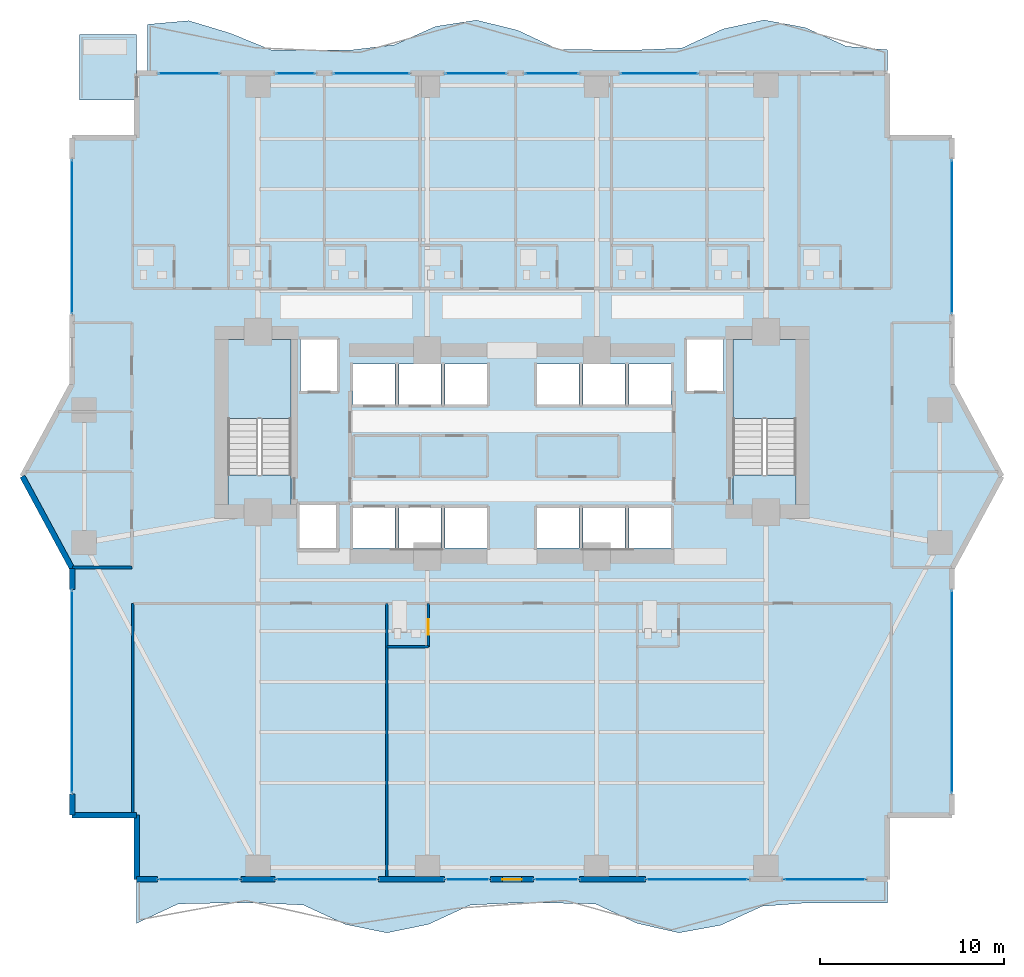
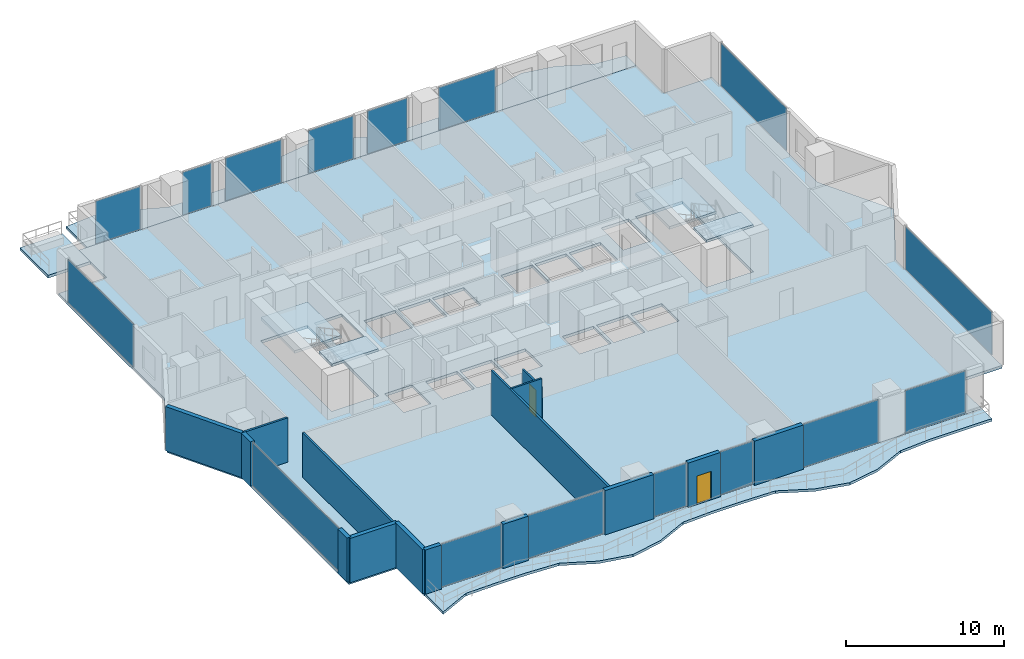
# One storey, part 20 of 28: 16 plates, 15 walls, 8 slabs, 2 doors, 2 openings, 18 elements without a shape of their own.
"""IFC4 building model written with IfcOpenShell, lengths in metres."""

from ifc_helpers import new_model, si_unit, direction, frame, frame_2d, origin, origin_2d, place, context, subcontext, project, spatial, polyline, rectangle, outline, extrude, material, layer, layer_set, type_object, element, fill, aggregate, save


model = new_model("IFC4")

# Units and contexts
model_context = context("Model", 3, precision=1e-05, world=origin(), true_north=direction((0.0, 1.0)))
body_context = subcontext(model_context, "Body", "Model", "MODEL_VIEW")
ifc_project = project(units=[si_unit("LENGTHUNIT", "METRE"), si_unit("AREAUNIT", "SQUARE_METRE"), si_unit("VOLUMEUNIT", "CUBIC_METRE"), si_unit("PLANEANGLEUNIT", "RADIAN"), si_unit("MASSUNIT", "GRAM", prefix="KILO")], contexts=[model_context])

# Site, building, storey
site_placement = place(None, origin())
site = spatial("IfcSite", under=ifc_project, at=site_placement, CompositionType="ELEMENT")
building_placement = place(site_placement, origin())
building = spatial("IfcBuilding", under=site, at=building_placement, Name="Zuhayl Quay Hotel", CompositionType="ELEMENT")
storey_placement = place(building_placement, frame((0.0, 0.0, 110.25)))
storey = spatial("IfcBuildingStorey", under=building, at=storey_placement, Name="L27", CompositionType="ELEMENT", Elevation=110.25)

# Curtain wall, plate
ifc_material_1 = material(Name="Anodised Aluminium 6063-T6", Category="aluminium")
ifc_layer_1 = layer(ifc_material_1, 0.179931640625, Name="Anodised Aluminium 6063-T6", Category="aluminium")
ifc_layer_set_1 = layer_set([ifc_layer_1], Name="Anodised Aluminium 6063-T6")
curtain_wall_type = type_object("IfcCurtainWallType", Name="CW_SYS_Z2", PredefinedType="USERDEFINED", material=ifc_layer_set_1)
curtain_wall_1_placement = place(storey_placement, origin())
curtain_wall_1 = element("IfcCurtainWall", 1, at=curtain_wall_1_placement, inside=storey, type_object=curtain_wall_type, Name="L27 Curtain Wall ENV_L27_E02_CW1", ObjectType="UNITISED CURTAIN WALL", PredefinedType="USERDEFINED")
ifc_material_2 = material(Name="Dark Ceramic-Fritted Solar Glass", Category="glass")
ifc_layer_2 = layer(ifc_material_2, 0.035888671875, Name="Dark Ceramic-Fritted Solar Glass", Category="glass")
ifc_layer_set_2 = layer_set([ifc_layer_2], Name="Dark Ceramic-Fritted Solar Glass")
plate_type = type_object("IfcPlateType", Name="PN_DARK_FRIT_Z1", PredefinedType="CURTAIN_PANEL", material=ifc_layer_set_2)
plate_1_placement = place(storey_placement, frame((-23.89990234375, -5.199951171875, 0.06005859375), z_axis=(0.0, 0.0, 1.0), x_axis=(0.0, 1.0, 0.0)))
plate_1 = element("IfcPlate", 2, at=plate_1_placement, type_object=plate_type, Name="CW-Z2 panel 1.1", PredefinedType="CURTAIN_PANEL", context=body_context, shape_type="SweptSolid", body=[
    extrude(rectangle(XDim=10.969970703125, YDim=0.035888671875, at=origin_2d()), origin(), (0.0, 0.0, 1.0), 3.31005859375),
])
aggregate(curtain_wall_1, [plate_1])

curtain_wall_2_placement = place(storey_placement, origin())
curtain_wall_2 = element("IfcCurtainWall", 3, at=curtain_wall_2_placement, inside=storey, type_object=curtain_wall_type, Name="L27 Curtain Wall ENV_L27_E05_CW1", ObjectType="UNITISED CURTAIN WALL", PredefinedType="USERDEFINED")
plate_2_placement = place(storey_placement, frame((-23.89990234375, 19.52490234375, 0.06005859375), z_axis=(0.0, 0.0, 1.0), x_axis=(0.0, 1.0, 0.0)))
plate_2 = element("IfcPlate", 4, at=plate_2_placement, type_object=plate_type, Name="CW-Z2 panel 1.1", PredefinedType="CURTAIN_PANEL", context=body_context, shape_type="SweptSolid", body=[
    extrude(rectangle(XDim=8.320068359375, YDim=0.035888671875, at=origin_2d()), origin(), (0.0, 0.0, 1.0), 3.31005859375),
])
aggregate(curtain_wall_2, [plate_2])

curtain_wall_3_placement = place(storey_placement, origin())
curtain_wall_3 = element("IfcCurtainWall", 5, at=curtain_wall_3_placement, inside=storey, type_object=curtain_wall_type, Name="L27 Curtain Wall ENV_L27_N_CW1", ObjectType="UNITISED CURTAIN WALL", PredefinedType="USERDEFINED")
plate_3_placement = place(storey_placement, frame((-17.550048828125, 28.39990234375, 0.06005859375), z_axis=(0.0, 0.0, 1.0), x_axis=(1.0, 0.0, 0.0)))
plate_3 = element("IfcPlate", 6, at=plate_3_placement, type_object=plate_type, Name="CW-Z2 panel 1.1", PredefinedType="CURTAIN_PANEL", context=body_context, shape_type="SweptSolid", body=[
    extrude(rectangle(XDim=3.27001953125, YDim=0.035888671875, at=origin_2d()), origin(), (0.0, 0.0, 1.0), 3.31005859375),
])
aggregate(curtain_wall_3, [plate_3])

curtain_wall_4_placement = place(storey_placement, origin())
curtain_wall_4 = element("IfcCurtainWall", 7, at=curtain_wall_4_placement, inside=storey, type_object=curtain_wall_type, Name="L27 Curtain Wall ENV_L27_N_CW2", ObjectType="UNITISED CURTAIN WALL", PredefinedType="USERDEFINED")
plate_4_placement = place(storey_placement, frame((-11.764892578125, 28.39990234375, 0.06005859375), z_axis=(0.0, 0.0, 1.0), x_axis=(1.0, 0.0, 0.0)))
plate_4 = element("IfcPlate", 8, at=plate_4_placement, type_object=plate_type, Name="CW-Z2 panel 1.1", PredefinedType="CURTAIN_PANEL", context=body_context, shape_type="SweptSolid", body=[
    extrude(rectangle(XDim=2.10009765625, YDim=0.035888671875, at=origin_2d()), origin(), (0.0, 0.0, 1.0), 3.31005859375),
])
aggregate(curtain_wall_4, [plate_4])

curtain_wall_5_placement = place(storey_placement, origin())
curtain_wall_5 = element("IfcCurtainWall", 9, at=curtain_wall_5_placement, inside=storey, type_object=curtain_wall_type, Name="L27 Curtain Wall ENV_L27_N_CW3", ObjectType="UNITISED CURTAIN WALL", PredefinedType="USERDEFINED")
plate_5_placement = place(storey_placement, frame((-7.635009765625, 28.39990234375, 0.06005859375), z_axis=(0.0, 0.0, 1.0), x_axis=(1.0, 0.0, 0.0)))
plate_5 = element("IfcPlate", 10, at=plate_5_placement, type_object=plate_type, Name="CW-Z2 panel 1.1", PredefinedType="CURTAIN_PANEL", context=body_context, shape_type="SweptSolid", body=[
    extrude(rectangle(XDim=4.10009765625, YDim=0.035888671875, at=origin_2d()), origin(), (0.0, 0.0, 1.0), 3.31005859375),
])
aggregate(curtain_wall_5, [plate_5])

curtain_wall_6_placement = place(storey_placement, origin())
curtain_wall_6 = element("IfcCurtainWall", 11, at=curtain_wall_6_placement, inside=storey, type_object=curtain_wall_type, Name="L27 Curtain Wall ENV_L27_N_CW4", ObjectType="UNITISED CURTAIN WALL", PredefinedType="USERDEFINED")
plate_6_placement = place(storey_placement, frame((-1.965087890625, 28.39990234375, 0.06005859375), z_axis=(0.0, 0.0, 1.0), x_axis=(1.0, 0.0, 0.0)))
plate_6 = element("IfcPlate", 12, at=plate_6_placement, type_object=plate_type, Name="CW-Z2 panel 1.1", PredefinedType="CURTAIN_PANEL", context=body_context, shape_type="SweptSolid", body=[
    extrude(rectangle(XDim=3.300048828125, YDim=0.035888671875, at=origin_2d()), origin(), (0.0, 0.0, 1.0), 3.31005859375),
])
aggregate(curtain_wall_6, [plate_6])

curtain_wall_7_placement = place(storey_placement, origin())
curtain_wall_7 = element("IfcCurtainWall", 13, at=curtain_wall_7_placement, inside=storey, type_object=curtain_wall_type, Name="L27 Curtain Wall ENV_L27_N_CW5", ObjectType="UNITISED CURTAIN WALL", PredefinedType="USERDEFINED")
plate_7_placement = place(storey_placement, frame((2.1650390625, 28.39990234375, 0.06005859375), z_axis=(0.0, 0.0, 1.0), x_axis=(1.0, 0.0, 0.0)))
plate_7 = element("IfcPlate", 14, at=plate_7_placement, type_object=plate_type, Name="CW-Z2 panel 1.1", PredefinedType="CURTAIN_PANEL", context=body_context, shape_type="SweptSolid", body=[
    extrude(rectangle(XDim=2.89990234375, YDim=0.035888671875, at=origin_2d()), origin(), (0.0, 0.0, 1.0), 3.31005859375),
])
aggregate(curtain_wall_7, [plate_7])

curtain_wall_8_placement = place(storey_placement, origin())
curtain_wall_8 = element("IfcCurtainWall", 15, at=curtain_wall_8_placement, inside=storey, type_object=curtain_wall_type, Name="L27 Curtain Wall ENV_L27_N_CW6", ObjectType="UNITISED CURTAIN WALL", PredefinedType="USERDEFINED")
plate_8_placement = place(storey_placement, frame((8.0, 28.39990234375, 0.06005859375), z_axis=(0.0, 0.0, 1.0), x_axis=(1.0, 0.0, 0.0)))
plate_8 = element("IfcPlate", 16, at=plate_8_placement, type_object=plate_type, Name="CW-Z2 panel 1.1", PredefinedType="CURTAIN_PANEL", context=body_context, shape_type="SweptSolid", body=[
    extrude(rectangle(XDim=4.169921875, YDim=0.035888671875, at=origin_2d()), origin(), (0.0, 0.0, 1.0), 3.31005859375),
])
aggregate(curtain_wall_8, [plate_8])

curtain_wall_9_placement = place(storey_placement, origin())
curtain_wall_9 = element("IfcCurtainWall", 17, at=curtain_wall_9_placement, inside=storey, type_object=curtain_wall_type, Name="L27 Curtain Wall ENV_L27_E11_CW1", ObjectType="UNITISED CURTAIN WALL", PredefinedType="USERDEFINED")
plate_9_placement = place(storey_placement, frame((23.89990234375, 19.52490234375, 0.06005859375), z_axis=(0.0, 0.0, 1.0), x_axis=(0.0, -1.0, 0.0)))
plate_9 = element("IfcPlate", 18, at=plate_9_placement, type_object=plate_type, Name="CW-Z2 panel 1.1", PredefinedType="CURTAIN_PANEL", context=body_context, shape_type="SweptSolid", body=[
    extrude(rectangle(XDim=8.320068359375, YDim=0.035888671875, at=origin_2d()), origin(), (0.0, 0.0, 1.0), 3.31005859375),
])
aggregate(curtain_wall_9, [plate_9])

curtain_wall_10_placement = place(storey_placement, origin())
curtain_wall_10 = element("IfcCurtainWall", 19, at=curtain_wall_10_placement, inside=storey, type_object=curtain_wall_type, Name="L27 Curtain Wall ENV_L27_E14_CW1", ObjectType="UNITISED CURTAIN WALL", PredefinedType="USERDEFINED")
plate_10_placement = place(storey_placement, frame((23.89990234375, -5.199951171875, 0.06005859375), z_axis=(0.0, 0.0, 1.0), x_axis=(0.0, -1.0, 0.0)))
plate_10 = element("IfcPlate", 20, at=plate_10_placement, type_object=plate_type, Name="CW-Z2 panel 1.1", PredefinedType="CURTAIN_PANEL", context=body_context, shape_type="SweptSolid", body=[
    extrude(rectangle(XDim=10.969970703125, YDim=0.035888671875, at=origin_2d()), origin(), (0.0, 0.0, 1.0), 3.31005859375),
])
aggregate(curtain_wall_10, [plate_10])

curtain_wall_11_placement = place(storey_placement, origin())
curtain_wall_11 = element("IfcCurtainWall", 21, at=curtain_wall_11_placement, inside=storey, type_object=curtain_wall_type, Name="L27 Curtain Wall ENV_L27_S_CW1", ObjectType="UNITISED CURTAIN WALL", PredefinedType="USERDEFINED")
plate_11_placement = place(storey_placement, frame((16.985107421875, -15.39990234375, 0.06005859375), z_axis=(0.0, 0.0, 1.0), x_axis=(-1.0, 0.0, 0.0)))
plate_11 = element("IfcPlate", 22, at=plate_11_placement, type_object=plate_type, Name="CW-Z2 panel 1.1", PredefinedType="CURTAIN_PANEL", context=body_context, shape_type="SweptSolid", body=[
    extrude(rectangle(XDim=4.39990234375, YDim=0.035888671875, at=origin_2d()), origin(), (0.0, 0.0, 1.0), 3.31005859375),
])
aggregate(curtain_wall_11, [plate_11])

curtain_wall_12_placement = place(storey_placement, origin())
curtain_wall_12 = element("IfcCurtainWall", 23, at=curtain_wall_12_placement, inside=storey, type_object=curtain_wall_type, Name="L27 Curtain Wall ENV_L27_S_CW2", ObjectType="UNITISED CURTAIN WALL", PredefinedType="USERDEFINED")
plate_12_placement = place(storey_placement, frame((10.06494140625, -15.39990234375, 0.06005859375), z_axis=(0.0, 0.0, 1.0), x_axis=(-1.0, 0.0, 0.0)))
plate_12 = element("IfcPlate", 24, at=plate_12_placement, type_object=plate_type, Name="CW-Z2 panel 1.1", PredefinedType="CURTAIN_PANEL", context=body_context, shape_type="SweptSolid", body=[
    extrude(rectangle(XDim=5.5, YDim=0.035888671875, at=origin_2d()), origin(), (0.0, 0.0, 1.0), 3.31005859375),
])
aggregate(curtain_wall_12, [plate_12])

curtain_wall_13_placement = place(storey_placement, origin())
curtain_wall_13 = element("IfcCurtainWall", 25, at=curtain_wall_13_placement, inside=storey, type_object=curtain_wall_type, Name="L27 Curtain Wall ENV_L27_S_CW3", ObjectType="UNITISED CURTAIN WALL", PredefinedType="USERDEFINED")
plate_13_placement = place(storey_placement, frame((2.427490234375, -15.39990234375, 0.06005859375), z_axis=(0.0, 0.0, 1.0), x_axis=(-1.0, 0.0, 0.0)))
plate_13 = element("IfcPlate", 26, at=plate_13_placement, type_object=plate_type, Name="CW-Z2 panel 1.1", PredefinedType="CURTAIN_PANEL", context=body_context, shape_type="SweptSolid", body=[
    extrude(rectangle(XDim=2.375, YDim=0.035888671875, at=origin_2d()), origin(), (0.0, 0.0, 1.0), 3.31005859375),
])
aggregate(curtain_wall_13, [plate_13])

curtain_wall_14_placement = place(storey_placement, origin())
curtain_wall_14 = element("IfcCurtainWall", 27, at=curtain_wall_14_placement, inside=storey, type_object=curtain_wall_type, Name="L27 Curtain Wall ENV_L27_S_CW4", ObjectType="UNITISED CURTAIN WALL", PredefinedType="USERDEFINED")
plate_14_placement = place(storey_placement, frame((-2.427490234375, -15.39990234375, 0.06005859375), z_axis=(0.0, 0.0, 1.0), x_axis=(-1.0, 0.0, 0.0)))
plate_14 = element("IfcPlate", 28, at=plate_14_placement, type_object=plate_type, Name="CW-Z2 panel 1.1", PredefinedType="CURTAIN_PANEL", context=body_context, shape_type="SweptSolid", body=[
    extrude(rectangle(XDim=2.375, YDim=0.035888671875, at=origin_2d()), origin(), (0.0, 0.0, 1.0), 3.31005859375),
])
aggregate(curtain_wall_14, [plate_14])

curtain_wall_15_placement = place(storey_placement, origin())
curtain_wall_15 = element("IfcCurtainWall", 29, at=curtain_wall_15_placement, inside=storey, type_object=curtain_wall_type, Name="L27 Curtain Wall ENV_L27_S_CW5", ObjectType="UNITISED CURTAIN WALL", PredefinedType="USERDEFINED")
plate_15_placement = place(storey_placement, frame((-10.06494140625, -15.39990234375, 0.06005859375), z_axis=(0.0, 0.0, 1.0), x_axis=(-1.0, 0.0, 0.0)))
plate_15 = element("IfcPlate", 30, at=plate_15_placement, type_object=plate_type, Name="CW-Z2 panel 1.1", PredefinedType="CURTAIN_PANEL", context=body_context, shape_type="SweptSolid", body=[
    extrude(rectangle(XDim=5.5, YDim=0.035888671875, at=origin_2d()), origin(), (0.0, 0.0, 1.0), 3.31005859375),
])
aggregate(curtain_wall_15, [plate_15])

curtain_wall_16_placement = place(storey_placement, origin())
curtain_wall_16 = element("IfcCurtainWall", 31, at=curtain_wall_16_placement, inside=storey, type_object=curtain_wall_type, Name="L27 Curtain Wall ENV_L27_S_CW6", ObjectType="UNITISED CURTAIN WALL", PredefinedType="USERDEFINED")
plate_16_placement = place(storey_placement, frame((-16.985107421875, -15.39990234375, 0.06005859375), z_axis=(0.0, 0.0, 1.0), x_axis=(-1.0, 0.0, 0.0)))
plate_16 = element("IfcPlate", 32, at=plate_16_placement, type_object=plate_type, Name="CW-Z2 panel 1.1", PredefinedType="CURTAIN_PANEL", context=body_context, shape_type="SweptSolid", body=[
    extrude(rectangle(XDim=4.39990234375, YDim=0.035888671875, at=origin_2d()), origin(), (0.0, 0.0, 1.0), 3.31005859375),
])
aggregate(curtain_wall_16, [plate_16])

# Slabs
ifc_material_3 = material(Name="Concrete C45/55", Category="concrete")
ifc_layer_3 = layer(ifc_material_3, 0.195068359375, Name="Concrete C45/55", Category="concrete")
ifc_layer_set_3 = layer_set([ifc_layer_3], Name="Concrete C45/55")
slab_type_1 = type_object("IfcSlabType", Name="SL_BALCONY_195", PredefinedType="FLOOR", material=ifc_layer_set_3)
slab_1_placement = place(storey_placement, frame((0.0, 0.0, -0.195068359375)))
element("IfcSlab", 33, at=slab_1_placement, inside=storey, type_object=slab_type_1, Name="L27 Exterior Rippling Balcony Slab North", PredefinedType="FLOOR", context=body_context, shape_type="SweptSolid", body=[
    extrude(outline(polyline([(-19.800048828125, 28.39990234375), (20.39990234375, 28.39990234375), (20.39990234375, 29.679931640625), (18.166748046875, 29.87060546875), (15.933349609375, 30.886474609375), (13.699951171875, 31.299072265625), (11.466796875, 30.81103515625), (9.2333984375, 29.774169921875), (7.0, 29.679931640625), (4.7666015625, 29.679931640625), (2.533203125, 29.695068359375), (0.300048828125, 30.744384765625), (-1.933349609375, 31.293212890625), (-4.166748046875, 30.9453125), (-6.39990234375, 29.951904296875), (-8.63330078125, 29.679931640625), (-10.86669921875, 29.679931640625), (-13.10009765625, 29.679931640625), (-15.333251953125, 30.588134765625), (-17.566650390625, 31.261474609375), (-19.800048828125, 31.061279296875), (-19.800048828125, 28.39990234375)])), origin(), (0.0, 0.0, 1.0), 0.195068359375),
])
slab_2_placement = place(storey_placement, frame((0.0, 0.0, -0.195068359375)))
element("IfcSlab", 34, at=slab_2_placement, inside=storey, type_object=slab_type_1, Name="L27 Exterior Rippling Balcony Slab South", PredefinedType="FLOOR", context=body_context, shape_type="SweptSolid", body=[
    extrude(outline(polyline([(-20.39990234375, -17.78466796875), (-18.13330078125, -16.7265625), (-15.86669921875, -16.679931640625), (-13.60009765625, -16.679931640625), (-11.333251953125, -16.7900390625), (-9.066650390625, -17.836669921875), (-6.800048828125, -18.300048828125), (-4.533203125, -17.836669921875), (-2.2666015625, -16.7900390625), (0.0, -16.679931640625), (2.2666015625, -16.679931640625), (4.533203125, -16.7265625), (6.800048828125, -17.78466796875), (9.066650390625, -18.29833984375), (11.333251953125, -17.886474609375), (13.60009765625, -16.8544921875), (15.86669921875, -16.679931640625), (18.13330078125, -16.679931640625), (20.39990234375, -16.679931640625), (20.39990234375, -15.39990234375), (-20.39990234375, -15.39990234375), (-20.39990234375, -17.78466796875)])), origin(), (0.0, 0.0, 1.0), 0.195068359375),
])
ifc_layer_4 = layer(ifc_material_3, 0.219970703125, Name="Concrete C45/55", Category="concrete")
ifc_layer_set_4 = layer_set([ifc_layer_4], Name="Concrete C45/55")
slab_type_2 = type_object("IfcSlabType", Name="SL_FLOOR_220", PredefinedType="FLOOR", material=ifc_layer_set_4)
slab_3_placement = place(storey_placement, frame((0.0, 0.0, -0.219970703125)))
element("IfcSlab", 35, at=slab_3_placement, inside=storey, type_object=slab_type_2, Name="L27 Structural Floor Slab", PredefinedType="FLOOR", context=body_context, shape_type="SweptSolid", body=[
    extrude(outline(polyline([(-20.39990234375, -15.39990234375), (20.39990234375, -15.39990234375), (20.39990234375, -11.89990234375), (23.89990234375, -11.89990234375), (23.89990234375, 1.5), (26.60009765625, 6.5), (23.89990234375, 11.5), (23.89990234375, 24.89990234375), (20.39990234375, 24.89990234375), (20.39990234375, 28.39990234375), (-20.39990234375, 28.39990234375), (-20.39990234375, 24.89990234375), (-23.89990234375, 24.89990234375), (-23.89990234375, 11.5), (-26.60009765625, 6.5), (-23.89990234375, 1.5), (-23.89990234375, -11.89990234375), (-20.39990234375, -11.89990234375), (-20.39990234375, -15.39990234375)]), holes=[polyline([(-12.0, 4.949951171875), (-12.0, 13.949951171875), (-15.429931640625, 13.949951171875), (-15.429931640625, 4.949951171875), (-12.0, 4.949951171875)]), polyline([(15.429931640625, 4.949951171875), (15.429931640625, 13.949951171875), (12.0, 13.949951171875), (12.0, 4.949951171875), (15.429931640625, 4.949951171875)]), polyline([(-11.5, 11.14990234375), (-9.5, 11.14990234375), (-9.5, 13.949951171875), (-11.5, 13.949951171875), (-11.5, 11.14990234375)]), polyline([(9.5, 11.14990234375), (11.5, 11.14990234375), (11.5, 13.949951171875), (9.5, 13.949951171875), (9.5, 11.14990234375)]), polyline([(-8.64990234375, 2.60009765625), (-6.35009765625, 2.60009765625), (-6.35009765625, 4.800048828125), (-8.64990234375, 4.800048828125), (-8.64990234375, 2.60009765625)]), polyline([(-6.14990234375, 2.60009765625), (-3.85009765625, 2.60009765625), (-3.85009765625, 4.800048828125), (-6.14990234375, 4.800048828125), (-6.14990234375, 2.60009765625)]), polyline([(-8.64990234375, 10.39990234375), (-6.35009765625, 10.39990234375), (-6.35009765625, 12.60009765625), (-8.64990234375, 12.60009765625), (-8.64990234375, 10.39990234375)]), polyline([(-6.14990234375, 10.39990234375), (-3.85009765625, 10.39990234375), (-3.85009765625, 12.60009765625), (-6.14990234375, 12.60009765625), (-6.14990234375, 10.39990234375)]), polyline([(-3.64990234375, 2.60009765625), (-1.35009765625, 2.60009765625), (-1.35009765625, 4.800048828125), (-3.64990234375, 4.800048828125), (-3.64990234375, 2.60009765625)]), polyline([(1.35009765625, 2.60009765625), (3.64990234375, 2.60009765625), (3.64990234375, 4.800048828125), (1.35009765625, 4.800048828125), (1.35009765625, 2.60009765625)]), polyline([(-3.64990234375, 10.39990234375), (-1.35009765625, 10.39990234375), (-1.35009765625, 12.60009765625), (-3.64990234375, 12.60009765625), (-3.64990234375, 10.39990234375)]), polyline([(1.35009765625, 10.39990234375), (3.64990234375, 10.39990234375), (3.64990234375, 12.60009765625), (1.35009765625, 12.60009765625), (1.35009765625, 10.39990234375)]), polyline([(3.85009765625, 2.60009765625), (6.14990234375, 2.60009765625), (6.14990234375, 4.800048828125), (3.85009765625, 4.800048828125), (3.85009765625, 2.60009765625)]), polyline([(6.35009765625, 2.60009765625), (8.64990234375, 2.60009765625), (8.64990234375, 4.800048828125), (6.35009765625, 4.800048828125), (6.35009765625, 2.60009765625)]), polyline([(3.85009765625, 10.39990234375), (6.14990234375, 10.39990234375), (6.14990234375, 12.60009765625), (3.85009765625, 12.60009765625), (3.85009765625, 10.39990234375)]), polyline([(6.35009765625, 10.39990234375), (8.64990234375, 10.39990234375), (8.64990234375, 12.60009765625), (6.35009765625, 12.60009765625), (6.35009765625, 10.39990234375)]), polyline([(-11.550048828125, 2.550048828125), (-9.550048828125, 2.550048828125), (-9.550048828125, 4.949951171875), (-11.550048828125, 4.949951171875), (-11.550048828125, 2.550048828125)])]), origin(), (0.0, 0.0, 1.0), 0.219970703125),
])

# Stair, slabs
stair_type = type_object("IfcStairType", Name="ST_DOGLEG_TOWER", PredefinedType="HALF_TURN_STAIR", material=ifc_material_3)
stair_1_placement = place(storey_placement, origin())
stair_1 = element("IfcStair", 36, at=stair_1_placement, inside=storey, type_object=stair_type, Name="L27 Smokeproof Exit Stair ST1", PredefinedType="HALF_TURN_STAIR")
ifc_layer_5 = layer(ifc_material_3, 0.199951171875, Name="Concrete C45/55", Category="concrete")
ifc_layer_set_5 = layer_set([ifc_layer_5], Name="Concrete C45/55")
slab_type_3 = type_object("IfcSlabType", Name="SL_STAIR_LANDING_200", PredefinedType="LANDING", material=ifc_layer_set_5)
slab_4_placement = place(storey_placement, frame((0.0, 0.0, 1.625)))
slab_4 = element("IfcSlab", 37, at=slab_4_placement, type_object=slab_type_3, Name="ST1 landing 1", PredefinedType="LANDING", context=body_context, shape_type="SweptSolid", body=[
    extrude(outline(polyline([(-12.0, 9.64990234375), (-12.0, 13.949951171875), (-15.429931640625, 13.949951171875), (-15.429931640625, 9.64990234375), (-12.0, 9.64990234375)])), origin(), (0.0, 0.0, 1.0), 0.199951171875),
])
slab_5_placement = place(storey_placement, frame((0.0, 0.0, 3.449951171875)))
slab_5 = element("IfcSlab", 38, at=slab_5_placement, type_object=slab_type_3, Name="ST1 landing 2", PredefinedType="LANDING", context=body_context, shape_type="SweptSolid", body=[
    extrude(outline(polyline([(-12.0, 4.949951171875), (-12.0, 6.590087890625), (-15.429931640625, 6.590087890625), (-15.429931640625, 4.949951171875), (-12.0, 4.949951171875)])), origin(), (0.0, 0.0, 1.0), 0.199951171875),
])
aggregate(stair_1, [slab_4, slab_5])

stair_2_placement = place(storey_placement, origin())
stair_2 = element("IfcStair", 39, at=stair_2_placement, inside=storey, type_object=stair_type, Name="L27 Smokeproof Exit Stair ST2", PredefinedType="HALF_TURN_STAIR")
slab_6_placement = place(storey_placement, frame((0.0, 0.0, 1.625)))
slab_6 = element("IfcSlab", 40, at=slab_6_placement, type_object=slab_type_3, Name="ST2 landing 1", PredefinedType="LANDING", context=body_context, shape_type="SweptSolid", body=[
    extrude(outline(polyline([(15.429931640625, 9.64990234375), (15.429931640625, 13.949951171875), (12.0, 13.949951171875), (12.0, 9.64990234375), (15.429931640625, 9.64990234375)])), origin(), (0.0, 0.0, 1.0), 0.199951171875),
])
slab_7_placement = place(storey_placement, frame((0.0, 0.0, 3.449951171875)))
slab_7 = element("IfcSlab", 41, at=slab_7_placement, type_object=slab_type_3, Name="ST2 landing 2", PredefinedType="LANDING", context=body_context, shape_type="SweptSolid", body=[
    extrude(outline(polyline([(15.429931640625, 4.949951171875), (15.429931640625, 6.590087890625), (12.0, 6.590087890625), (12.0, 4.949951171875), (15.429931640625, 4.949951171875)])), origin(), (0.0, 0.0, 1.0), 0.199951171875),
])
aggregate(stair_2, [slab_6, slab_7])

# Slab
ifc_layer_6 = layer(ifc_material_3, 0.219970703125, Name="Concrete C45/55", Category="concrete")
ifc_layer_set_6 = layer_set([ifc_layer_6], Name="Concrete C45/55")
slab_type_4 = type_object("IfcSlabType", Name="SL_TERRACE_235", PredefinedType="FLOOR", material=ifc_layer_set_6)
slab_8_placement = place(storey_placement, frame((0.0, 0.0, -0.219970703125)))
element("IfcSlab", 42, at=slab_8_placement, inside=storey, type_object=slab_type_4, Name="L27 Exterior Sky-Terrace Slab L27_SPIRAL_NW", PredefinedType="FLOOR", context=body_context, shape_type="SweptSolid", body=[
    extrude(outline(polyline([(-23.5, 26.949951171875), (-20.39990234375, 26.949951171875), (-20.39990234375, 30.5), (-23.5, 30.5), (-23.5, 26.949951171875)])), origin(), (0.0, 0.0, 1.0), 0.219970703125),
])

# Walls
ifc_material_4 = material(Name="Precast concrete C45/55", Category="concrete")
ifc_layer_7 = layer(ifc_material_4, 0.300048828125, Name="Precast concrete C45/55", Category="concrete")
ifc_layer_set_7 = layer_set([ifc_layer_7], Name="Precast concrete C45/55")
wall_type_1 = type_object("IfcWallType", Name="WL_EXT_300", PredefinedType="STANDARD", material=ifc_layer_set_7)
wall_1_placement = place(storey_placement, frame((-20.39990234375, -11.89990234375, 0.0), z_axis=(0.0, 0.0, 1.0), x_axis=(-1.0, 0.0, 0.0)))
element("IfcWall", 43, at=wall_1_placement, inside=storey, type_object=wall_type_1, Name="L27 Exterior Precast Wall ENV_L27_EW01", PredefinedType="STANDARD", context=body_context, shape_type="SweptSolid", body=[
    extrude(rectangle(XDim=3.5, YDim=0.300048828125, at=frame_2d((1.75, 0.0))), origin(), (0.0, 0.0, 1.0), 3.429931640625),
])
for number, where, z_axis, x_axis, name in (
    (44, (-23.89990234375, -11.89990234375, 0.0), (0.0, 0.0, 1.0), (0.0, 1.0, 0.0), "L27 Exterior Precast Wall ENV_L27_E02_EW1"),
    (45, (-23.89990234375, 0.35009765625, 0.0), (0.0, 0.0, 1.0), (0.0, 1.0, 0.0), "L27 Exterior Precast Wall ENV_L27_E02_EW2"),
):
    element("IfcWall", number, at=place(storey_placement, frame(where, z_axis=z_axis, x_axis=x_axis)), inside=storey, type_object=wall_type_1, Name=name, PredefinedType="STANDARD", context=body_context, shape_type="SweptSolid", body=[
        extrude(rectangle(XDim=1.14990234375, YDim=0.300048828125, at=frame_2d((0.574951171875, 0.0))), origin(), (0.0, 0.0, 1.0), 3.429931640625),
    ])
wall_2_placement = place(storey_placement, frame((-23.89990234375, 1.5, 0.0), z_axis=(0.0, 0.0, 1.0), x_axis=(-0.475175525499, 0.879891027325, 0.0)))
element("IfcWall", 46, at=wall_2_placement, inside=storey, type_object=wall_type_1, Name="L27 Exterior Precast Wall ENV_L27_EW03", PredefinedType="STANDARD", context=body_context, shape_type="SweptSolid", body=[
    extrude(rectangle(XDim=5.6826171875, YDim=0.300048828125, at=frame_2d((2.84130859375, 0.0))), origin(), (0.0, 0.0, 1.0), 3.429931640625),
])
wall_3_placement = place(storey_placement, frame((7.25, -15.39990234375, 0.0), z_axis=(0.0, 0.0, 1.0), x_axis=(-1.0, 0.0, 0.0)))
element("IfcWall", 47, at=wall_3_placement, inside=storey, type_object=wall_type_1, Name="L27 Exterior Precast Wall ENV_L27_S_EW3", PredefinedType="STANDARD", context=body_context, shape_type="SweptSolid", body=[
    extrude(rectangle(XDim=3.570068359375, YDim=0.300048828125, at=frame_2d((1.78515625, 0.0))), origin(), (0.0, 0.0, 1.0), 3.429931640625),
])

# Wall, opening, door
wall_4_placement = place(storey_placement, frame((1.175048828125, -15.39990234375, 0.0), z_axis=(0.0, 0.0, 1.0), x_axis=(-1.0, 0.0, 0.0)))
wall_4 = element("IfcWall", 48, at=wall_4_placement, inside=storey, type_object=wall_type_1, Name="L27 Exterior Precast Wall ENV_L27_S_EW4", PredefinedType="STANDARD", context=body_context, shape_type="SweptSolid", body=[
    extrude(rectangle(XDim=2.35009765625, YDim=0.300048828125, at=frame_2d((1.175048828125, 0.0))), origin(), (0.0, 0.0, 1.0), 3.429931640625),
])
opening_1_placement = place(wall_4_placement, frame((0.64990234375, 0.0, 0.0)))
opening_1 = element("IfcOpeningElement", 49, at=opening_1_placement, cuts=wall_4, Name="Opening DG1", PredefinedType="OPENING", context=body_context, shape_type="SweptSolid", body=[
    extrude(rectangle(XDim=1.050048828125, YDim=2.199951171875, at=frame_2d((0.52490234375, 1.10009765625))), frame((0.0, 0.159912109375, 0.0), z_axis=(0.0, -1.0, 0.0), x_axis=(1.0, 0.0, 0.0)), (0.0, 0.0, 1.0), 0.320068359375),
])
ifc_material_5 = material(Name="Anodised Aluminium and Dark Solar Glass", Category="aluminium")
door_type_1 = type_object("IfcDoorType", Name="DR_EXT_TERR_1050", OperationType="NOTDEFINED", PredefinedType="DOOR", material=ifc_material_5)
door_1_placement = place(opening_1_placement, origin())
door_1 = element("IfcDoor", 50, at=door_1_placement, inside=storey, type_object=door_type_1, Name="L27 South Rippling Balcony Door", OperationType="SINGLE_SWING_RIGHT", OverallHeight=2.199951171875, OverallWidth=1.050048828125, PredefinedType="DOOR", context=body_context, shape_type="SweptSolid", body=[
    extrude(rectangle(XDim=1.050048828125, YDim=2.199951171875, at=frame_2d((0.52490234375, 1.10009765625))), frame((0.0, 0.02490234375, 0.0), z_axis=(0.0, -1.0, 0.0), x_axis=(1.0, 0.0, 0.0)), (0.0, 0.0, 1.0), 0.050048828125),
])
fill(opening_1, door_1)

# Walls
wall_5_placement = place(storey_placement, frame((-3.679931640625, -15.39990234375, 0.0), z_axis=(0.0, 0.0, 1.0), x_axis=(-1.0, 0.0, 0.0)))
element("IfcWall", 51, at=wall_5_placement, inside=storey, type_object=wall_type_1, Name="L27 Exterior Precast Wall ENV_L27_S_EW5", PredefinedType="STANDARD", context=body_context, shape_type="SweptSolid", body=[
    extrude(rectangle(XDim=3.570068359375, YDim=0.300048828125, at=frame_2d((1.78515625, 0.0))), origin(), (0.0, 0.0, 1.0), 3.429931640625),
])
wall_6_placement = place(storey_placement, frame((-12.8798828125, -15.39990234375, 0.0), z_axis=(0.0, 0.0, 1.0), x_axis=(-1.0, 0.0, 0.0)))
element("IfcWall", 52, at=wall_6_placement, inside=storey, type_object=wall_type_1, Name="L27 Exterior Precast Wall ENV_L27_S_EW6", PredefinedType="STANDARD", context=body_context, shape_type="SweptSolid", body=[
    extrude(rectangle(XDim=1.840087890625, YDim=0.300048828125, at=frame_2d((0.919921875, 0.0))), origin(), (0.0, 0.0, 1.0), 3.429931640625),
])
wall_7_placement = place(storey_placement, frame((-19.25, -15.39990234375, 0.0), z_axis=(0.0, 0.0, 1.0), x_axis=(-1.0, 0.0, 0.0)))
element("IfcWall", 53, at=wall_7_placement, inside=storey, type_object=wall_type_1, Name="L27 Exterior Precast Wall ENV_L27_S_EW7", PredefinedType="STANDARD", context=body_context, shape_type="SweptSolid", body=[
    extrude(rectangle(XDim=1.14990234375, YDim=0.300048828125, at=frame_2d((0.574951171875, 0.0))), origin(), (0.0, 0.0, 1.0), 3.429931640625),
])
wall_8_placement = place(storey_placement, frame((-20.39990234375, -15.39990234375, 0.0), z_axis=(0.0, 0.0, 1.0), x_axis=(0.0, 1.0, 0.0)))
element("IfcWall", 54, at=wall_8_placement, inside=storey, type_object=wall_type_1, Name="L27 Exterior Precast Wall ENV_L27_EW18", PredefinedType="STANDARD", context=body_context, shape_type="SweptSolid", body=[
    extrude(rectangle(XDim=3.5, YDim=0.300048828125, at=frame_2d((1.75, 0.0))), origin(), (0.0, 0.0, 1.0), 3.429931640625),
])
ifc_material_6 = material(Name="Acoustic Gypsum Partition STC-58")
ifc_layer_8 = layer(ifc_material_6, 0.14990234375, Name="Acoustic Gypsum Partition STC-58")
ifc_layer_set_8 = layer_set([ifc_layer_8], Name="Acoustic Gypsum Partition STC-58")
wall_type_2 = type_object("IfcWallType", Name="WL_PART_150", PredefinedType="PARTITIONING", material=ifc_layer_set_8)
wall_9_placement = place(storey_placement, frame((-20.60009765625, -11.840087890625, 0.0), z_axis=(0.0, 0.0, 1.0), x_axis=(0.0, 1.0, 0.0)))
element("IfcWall", 55, at=wall_9_placement, inside=storey, type_object=wall_type_2, Name="L27 Partition IW_L27_SSAL_0_W", PredefinedType="PARTITIONING", context=body_context, shape_type="SweptSolid", body=[
    extrude(rectangle(XDim=11.440185546875, YDim=0.14990234375, at=frame_2d((5.72021484375, 0.0))), origin(), (0.0, 0.0, 1.0), 3.429931640625),
])
wall_10_placement = place(storey_placement, frame((-6.800048828125, -15.340087890625, 0.0), z_axis=(0.0, 0.0, 1.0), x_axis=(0.0, 1.0, 0.0)))
element("IfcWall", 56, at=wall_10_placement, inside=storey, type_object=wall_type_2, Name="L27 Partition IW_L27_SSAL_0_E", PredefinedType="PARTITIONING", context=body_context, shape_type="SweptSolid", body=[
    extrude(rectangle(XDim=14.940185546875, YDim=0.14990234375, at=frame_2d((7.47021484375, 0.0))), origin(), (0.0, 0.0, 1.0), 3.429931640625),
])
wall_11_placement = place(storey_placement, frame((-23.866943359375, 1.550048828125, 0.0), z_axis=(0.0, 0.0, 1.0), x_axis=(1.0, 0.0, 0.0)))
element("IfcWall", 57, at=wall_11_placement, inside=storey, type_object=wall_type_2, Name="L27 Partition IW_L27_WPROW_1_S", PredefinedType="PARTITIONING", context=body_context, shape_type="SweptSolid", body=[
    extrude(rectangle(XDim=3.217041015625, YDim=0.14990234375, at=frame_2d((1.6083984375, 0.0))), origin(), (0.0, 0.0, 1.0), 3.429931640625),
])

# Wall, opening, door
ifc_material_7 = material(Name="Moisture-Resistant Sanitarychase Gypsum")
ifc_layer_9 = layer(ifc_material_7, 0.135009765625, Name="Moisture-Resistant Sanitarychase Gypsum")
ifc_layer_set_9 = layer_set([ifc_layer_9], Name="Moisture-Resistant Sanitarychase Gypsum")
wall_type_3 = type_object("IfcWallType", Name="WL_PART_PLUMB_150", PredefinedType="PLUMBINGWALL", material=ifc_layer_set_9)
wall_12_placement = place(storey_placement, frame((-4.5400390625, -2.760009765625, 0.0), z_axis=(0.0, 0.0, 1.0), x_axis=(0.0, 1.0, 0.0)))
wall_12 = element("IfcWall", 58, at=wall_12_placement, inside=storey, type_object=wall_type_3, Name="L27 Partition IW_L27_SU02_BE", PredefinedType="PLUMBINGWALL", context=body_context, shape_type="SweptSolid", body=[
    extrude(rectangle(XDim=2.360107421875, YDim=0.135009765625, at=frame_2d((1.18017578125, 0.0))), origin(), (0.0, 0.0, 1.0), 2.7470703125),
])
opening_2_placement = place(wall_12_placement, frame((0.64990234375, 0.0, 0.0)))
opening_2 = element("IfcOpeningElement", 59, at=opening_2_placement, cuts=wall_12, Name="Opening D04", PredefinedType="OPENING", context=body_context, shape_type="SweptSolid", body=[
    extrude(rectangle(XDim=0.85009765625, YDim=2.10009765625, at=frame_2d((0.425048828125, 1.050048828125))), frame((0.0, 0.077392578125, 0.0), z_axis=(0.0, -1.0, 0.0), x_axis=(1.0, 0.0, 0.0)), (0.0, 0.0, 1.0), 0.155029296875),
])
ifc_material_8 = material(Name="Moisture-Resistant Walnut Veneer")
door_type_2 = type_object("IfcDoorType", Name="DR_BATH_850", OperationType="NOTDEFINED", PredefinedType="DOOR", material=ifc_material_8)
door_2_placement = place(opening_2_placement, origin())
door_2 = element("IfcDoor", 60, at=door_2_placement, inside=storey, type_object=door_type_2, Name="L27 City-View Junior Suite L27-02 En-Suite Door", OperationType="SINGLE_SWING_RIGHT", OverallHeight=2.10009765625, OverallWidth=0.85009765625, PredefinedType="DOOR", context=body_context, shape_type="SweptSolid", body=[
    extrude(rectangle(XDim=0.85009765625, YDim=2.10009765625, at=frame_2d((0.425048828125, 1.050048828125))), frame((0.0, 0.02490234375, 0.0), z_axis=(0.0, -1.0, 0.0), x_axis=(1.0, 0.0, 0.0)), (0.0, 0.0, 1.0), 0.050048828125),
])
fill(opening_2, door_2)

# Wall
wall_13_placement = place(storey_placement, frame((-6.800048828125, -2.760009765625, 0.0), z_axis=(0.0, 0.0, 1.0), x_axis=(1.0, 0.0, 0.0)))
element("IfcWall", 61, at=wall_13_placement, inside=storey, type_object=wall_type_3, Name="L27 Partition IW_L27_SU02_BS", PredefinedType="PLUMBINGWALL", context=body_context, shape_type="SweptSolid", body=[
    extrude(rectangle(XDim=2.260009765625, YDim=0.135009765625, at=frame_2d((1.1298828125, 0.0))), origin(), (0.0, 0.0, 1.0), 3.429931640625),
])

save(model, "model.ifc")
